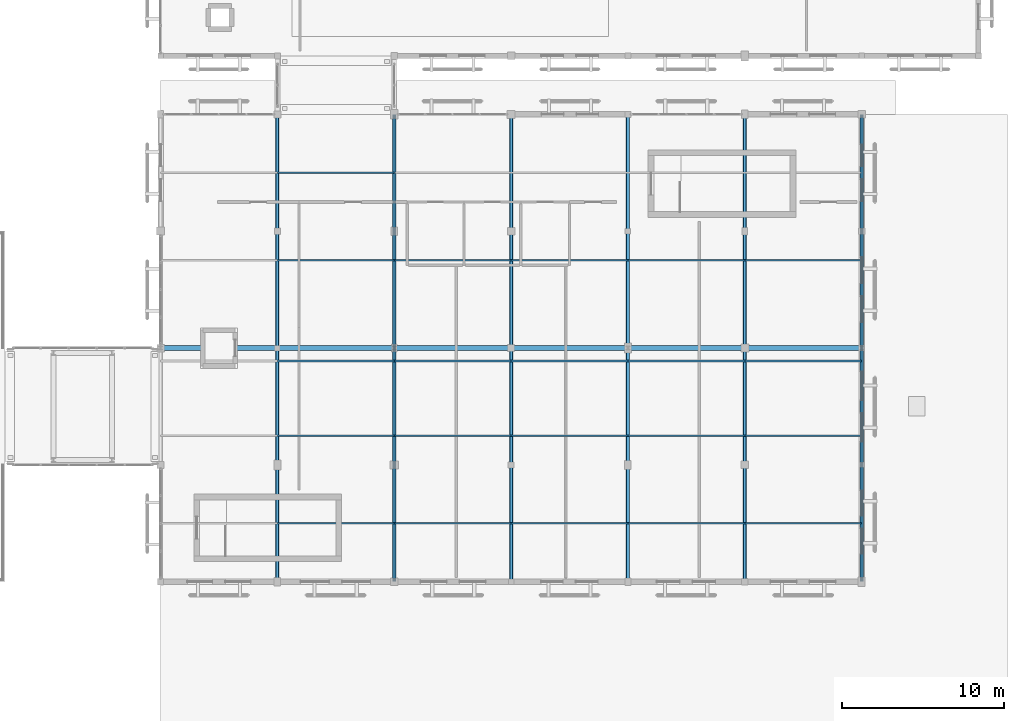
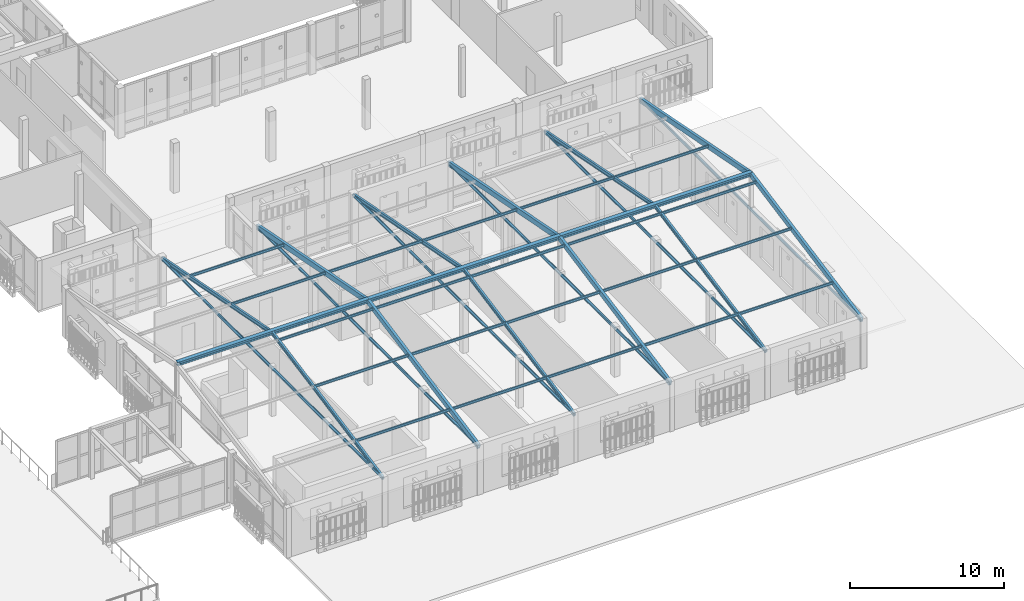
# One storey, part 53 of 112: 39 members, 3 beams.
"""IFC4 building model written with IfcOpenShell, lengths in metres."""

from ifc_helpers import new_model, si_unit, direction, frame, origin, origin_2d, place, context, subcontext, project, spatial, rectangle, hollow_circle, i_section, extrude, material, material_profile, profile_set, type_object, element, save


model = new_model("IFC4")

# Units and contexts
model_context = context("Model", 3, precision=1e-05, world=origin(), true_north=direction((0.0, 1.0)))
body_context = subcontext(model_context, "Body", "Model", "MODEL_VIEW")
ifc_project = project(units=[si_unit("LENGTHUNIT", "METRE"), si_unit("AREAUNIT", "SQUARE_METRE"), si_unit("VOLUMEUNIT", "CUBIC_METRE"), si_unit("PLANEANGLEUNIT", "RADIAN"), si_unit("MASSUNIT", "GRAM", prefix="KILO")], contexts=[model_context])

# Site, building, storey
site_placement = place(None, origin())
site = spatial("IfcSite", under=ifc_project, at=site_placement, CompositionType="ELEMENT")
building_placement = place(site_placement, origin())
building = spatial("IfcBuilding", under=site, at=building_placement, Name="Mazaris Harbour Polytechnic", CompositionType="ELEMENT")
storey_placement = place(building_placement, frame((0.0, 0.0, 13.800048828125)))
storey = spatial("IfcBuildingStorey", under=building, at=storey_placement, Name="L03", CompositionType="ELEMENT", Elevation=13.800048828125)

# Members
ifc_material_1 = material(Name="Glulam GL28h", Category="wood")
ifc_material_profile_1 = material_profile(ifc_material_1, rectangle(XDim=0.199951171875, YDim=0.39990234375, at=origin_2d()), Name="RECT200x400")
ifc_profile_set_1 = profile_set([ifc_material_profile_1], Name="Glulam GL28h")
member_type_1 = type_object("IfcMemberType", Name="Glulam Roof Rafter 200x400", PredefinedType="RAFTER", material=ifc_profile_set_1)
member_1_placement = place(storey_placement, frame((136.800048828125, 14.39990234375, 3.699951171875), z_axis=(0.0, 0.981615129824, 0.190870995439), x_axis=(-1.0, 0.0, 0.0)))
element("IfcMember", 1, at=member_1_placement, inside=storey, type_object=member_type_1, Name="V2 Pavilion South Rafter 3", PredefinedType="RAFTER", context=body_context, shape_type="SweptSolid", body=[
    extrude(rectangle(XDim=0.199951171875, YDim=0.39990234375, at=origin_2d()), origin(), (0.0, 0.0, 1.0), 14.669921875),
])
member_2_placement = place(storey_placement, frame((136.800048828125, 28.800048828125, 6.5), z_axis=(0.0, 0.9816145235, -0.190874113628), x_axis=(-1.0, 0.0, 0.0)))
element("IfcMember", 2, at=member_2_placement, inside=storey, type_object=member_type_1, Name="V2 Pavilion North Rafter 3", PredefinedType="RAFTER", context=body_context, shape_type="SweptSolid", body=[
    extrude(rectangle(XDim=0.199951171875, YDim=0.39990234375, at=origin_2d()), origin(), (0.0, 0.0, 1.0), 14.669677734375),
])
member_3_placement = place(storey_placement, frame((151.199951171875, 14.39990234375, 3.699951171875), z_axis=(0.0, 0.981615129824, 0.190870995439), x_axis=(-1.0, 0.0, 0.0)))
element("IfcMember", 3, at=member_3_placement, inside=storey, type_object=member_type_1, Name="V2 Pavilion South Rafter 5", PredefinedType="RAFTER", context=body_context, shape_type="SweptSolid", body=[
    extrude(rectangle(XDim=0.199951171875, YDim=0.39990234375, at=origin_2d()), origin(), (0.0, 0.0, 1.0), 14.669921875),
])
member_4_placement = place(storey_placement, frame((151.199951171875, 28.800048828125, 6.5), z_axis=(0.0, 0.9816145235, -0.190874113628), x_axis=(-1.0, 0.0, 0.0)))
element("IfcMember", 4, at=member_4_placement, inside=storey, type_object=member_type_1, Name="V2 Pavilion North Rafter 5", PredefinedType="RAFTER", context=body_context, shape_type="SweptSolid", body=[
    extrude(rectangle(XDim=0.199951171875, YDim=0.39990234375, at=origin_2d()), origin(), (0.0, 0.0, 1.0), 14.669677734375),
])
member_5_placement = place(storey_placement, frame((165.60009765625, 14.39990234375, 3.699951171875), z_axis=(0.0, 0.981615129824, 0.190870995439), x_axis=(-1.0, 0.0, 0.0)))
element("IfcMember", 5, at=member_5_placement, inside=storey, type_object=member_type_1, Name="V2 Pavilion South Rafter 7", PredefinedType="RAFTER", context=body_context, shape_type="SweptSolid", body=[
    extrude(rectangle(XDim=0.199951171875, YDim=0.39990234375, at=origin_2d()), origin(), (0.0, 0.0, 1.0), 14.669921875),
])
member_6_placement = place(storey_placement, frame((165.60009765625, 28.800048828125, 6.5), z_axis=(0.0, 0.9816145235, -0.190874113628), x_axis=(-1.0, 0.0, 0.0)))
element("IfcMember", 6, at=member_6_placement, inside=storey, type_object=member_type_1, Name="V2 Pavilion North Rafter 7", PredefinedType="RAFTER", context=body_context, shape_type="SweptSolid", body=[
    extrude(rectangle(XDim=0.199951171875, YDim=0.39990234375, at=origin_2d()), origin(), (0.0, 0.0, 1.0), 14.669677734375),
])

# Beams
ifc_material_2 = material(Name="Steel S355", Category="steel")
ifc_material_profile_2 = material_profile(ifc_material_2, i_section(OverallWidth=0.300048828125, OverallDepth=0.2900390625, WebThickness=0.008544921875, FlangeThickness=0.013916015625, FilletRadius=0.027099609375, at=origin_2d()), Name="HEA 300")
ifc_profile_set_2 = profile_set([ifc_material_profile_2], Name="Steel S355")
beam_type = type_object("IfcBeamType", Name="Steel Beam HEA300", PredefinedType="SPANDREL", material=ifc_profile_set_2)
beam_1_placement = place(storey_placement, frame((122.39990234375, 28.800048828125, 6.614990234375), z_axis=(1.0, 0.0, 0.0), x_axis=(0.0, 1.0, 0.0)))
element("IfcBeam", 7, at=beam_1_placement, inside=storey, type_object=beam_type, Name="V2 Pavilion Ridge Girder 122.4", PredefinedType="SPANDREL", context=body_context, shape_type="SweptSolid", body=[
    extrude(i_section(OverallWidth=0.300048828125, OverallDepth=0.2900390625, WebThickness=0.008544921875, FlangeThickness=0.013916015625, FilletRadius=0.027099609375, at=origin_2d()), origin(), (0.0, 0.0, 1.0), 14.400146484375),
])
beam_2_placement = place(storey_placement, frame((136.800048828125, 28.800048828125, 6.614990234375), z_axis=(1.0, 0.0, 0.0), x_axis=(0.0, 1.0, 0.0)))
element("IfcBeam", 8, at=beam_2_placement, inside=storey, type_object=beam_type, Name="V2 Pavilion Ridge Girder 136.8", PredefinedType="SPANDREL", context=body_context, shape_type="SweptSolid", body=[
    extrude(i_section(OverallWidth=0.300048828125, OverallDepth=0.2900390625, WebThickness=0.008544921875, FlangeThickness=0.013916015625, FilletRadius=0.027099609375, at=origin_2d()), origin(), (0.0, 0.0, 1.0), 14.39990234375),
])
beam_3_placement = place(storey_placement, frame((151.199951171875, 28.800048828125, 6.614990234375), z_axis=(1.0, 0.0, 0.0), x_axis=(0.0, 1.0, 0.0)))
element("IfcBeam", 9, at=beam_3_placement, inside=storey, type_object=beam_type, Name="V2 Pavilion Ridge Girder 151.2", PredefinedType="SPANDREL", context=body_context, shape_type="SweptSolid", body=[
    extrude(i_section(OverallWidth=0.300048828125, OverallDepth=0.2900390625, WebThickness=0.008544921875, FlangeThickness=0.013916015625, FilletRadius=0.027099609375, at=origin_2d()), origin(), (0.0, 0.0, 1.0), 14.400146484375),
])

# Members
ifc_material_3 = material(Name="Steel S355", Category="steel")
ifc_material_profile_3 = material_profile(ifc_material_3, i_section(OverallWidth=0.10009765625, OverallDepth=0.199951171875, WebThickness=0.005615234375, FlangeThickness=0.008544921875, FilletRadius=0.011962890625, at=origin_2d()), Name="IPE 200")
ifc_profile_set_3 = profile_set([ifc_material_profile_3], Name="Steel S355")
member_type_2 = type_object("IfcMemberType", Name="Steel Purlin IPE200", PredefinedType="PURLIN", material=ifc_profile_set_3)
for number, where, z_axis, x_axis, name in (
    (10, (129.60009765625, 18.0, 4.47998046875), (1.0, 0.0, 0.0), (0.0, 1.0, 0.0), "V2 Roof Purlin 153"),
    (11, (129.60009765625, 23.39990234375, 5.52001953125), (1.0, 0.0, 0.0), (0.0, 1.0, 0.0), "V2 Roof Purlin 154"),
    (12, (129.60009765625, 28.0, 6.419921875), (1.0, 0.0, 0.0), (0.0, 1.0, 0.0), "V2 Roof Purlin 155"),
    (13, (129.60009765625, 34.199951171875, 5.52001953125), (1.0, 0.0, 0.0), (0.0, 1.0, 0.0), "V2 Roof Purlin 156"),
    (14, (129.60009765625, 39.60009765625, 4.47998046875), (1.0, 0.0, 0.0), (0.0, 1.0, 0.0), "V2 Roof Purlin 157"),
    (15, (136.800048828125, 18.0, 4.47998046875), (1.0, 0.0, 0.0), (0.0, 1.0, 0.0), "V2 Roof Purlin 158"),
    (16, (136.800048828125, 23.39990234375, 5.52001953125), (1.0, 0.0, 0.0), (0.0, 1.0, 0.0), "V2 Roof Purlin 159"),
    (17, (136.800048828125, 28.0, 6.419921875), (1.0, 0.0, 0.0), (0.0, 1.0, 0.0), "V2 Roof Purlin 160"),
    (18, (136.800048828125, 34.199951171875, 5.52001953125), (1.0, 0.0, 0.0), (0.0, 1.0, 0.0), "V2 Roof Purlin 161"),
    (19, (144.0, 18.0, 4.47998046875), (1.0, 0.0, 0.0), (0.0, 1.0, 0.0), "V2 Roof Purlin 163"),
    (20, (144.0, 23.39990234375, 5.52001953125), (1.0, 0.0, 0.0), (0.0, 1.0, 0.0), "V2 Roof Purlin 164"),
    (21, (144.0, 28.0, 6.419921875), (1.0, 0.0, 0.0), (0.0, 1.0, 0.0), "V2 Roof Purlin 165"),
    (22, (144.0, 34.199951171875, 5.52001953125), (1.0, 0.0, 0.0), (0.0, 1.0, 0.0), "V2 Roof Purlin 166"),
    (23, (151.199951171875, 18.0, 4.47998046875), (1.0, 0.0, 0.0), (0.0, 1.0, 0.0), "V2 Roof Purlin 168"),
    (24, (151.199951171875, 23.39990234375, 5.52001953125), (1.0, 0.0, 0.0), (0.0, 1.0, 0.0), "V2 Roof Purlin 169"),
    (25, (151.199951171875, 28.0, 6.419921875), (1.0, 0.0, 0.0), (0.0, 1.0, 0.0), "V2 Roof Purlin 170"),
    (26, (151.199951171875, 34.199951171875, 5.52001953125), (1.0, 0.0, 0.0), (0.0, 1.0, 0.0), "V2 Roof Purlin 171"),
):
    element("IfcMember", number, at=place(storey_placement, frame(where, z_axis=z_axis, x_axis=x_axis)), inside=storey, type_object=member_type_2, Name=name, PredefinedType="PURLIN", context=body_context, shape_type="SweptSolid", body=[
        extrude(i_section(OverallWidth=0.10009765625, OverallDepth=0.199951171875, WebThickness=0.005615234375, FlangeThickness=0.008544921875, FilletRadius=0.011962890625, at=origin_2d()), origin(), (0.0, 0.0, 1.0), 7.199951171875),
    ])
for number, where, z_axis, x_axis, name in (
    (27, (158.39990234375, 18.0, 4.47998046875), (1.0, 0.0, 0.0), (0.0, 1.0, 0.0), "V2 Roof Purlin 173"),
    (28, (158.39990234375, 23.39990234375, 5.52001953125), (1.0, 0.0, 0.0), (0.0, 1.0, 0.0), "V2 Roof Purlin 174"),
    (29, (158.39990234375, 28.0, 6.419921875), (1.0, 0.0, 0.0), (0.0, 1.0, 0.0), "V2 Roof Purlin 175"),
    (30, (158.39990234375, 34.199951171875, 5.52001953125), (1.0, 0.0, 0.0), (0.0, 1.0, 0.0), "V2 Roof Purlin 176"),
):
    element("IfcMember", number, at=place(storey_placement, frame(where, z_axis=z_axis, x_axis=x_axis)), inside=storey, type_object=member_type_2, Name=name, PredefinedType="PURLIN", context=body_context, shape_type="SweptSolid", body=[
        extrude(i_section(OverallWidth=0.10009765625, OverallDepth=0.199951171875, WebThickness=0.005615234375, FlangeThickness=0.008544921875, FilletRadius=0.011962890625, at=origin_2d()), origin(), (0.0, 0.0, 1.0), 7.2001953125),
    ])
ifc_material_4 = material(Name="Steel S355", Category="steel")
ifc_material_profile_4 = material_profile(ifc_material_4, i_section(OverallWidth=0.14990234375, OverallDepth=0.300048828125, WebThickness=0.007080078125, FlangeThickness=0.0107421875, FilletRadius=0.014892578125, at=origin_2d()), Name="IPE 300")
ifc_profile_set_4 = profile_set([ifc_material_profile_4], Name="Steel S355")
member_type_3 = type_object("IfcMemberType", Name="Steel Rafter IPE300", PredefinedType="RAFTER", material=ifc_profile_set_4)
member_7_placement = place(storey_placement, frame((129.60009765625, 14.39990234375, 3.699951171875), z_axis=(0.0, 0.981615129824, 0.190870995439), x_axis=(-1.0, 0.0, 0.0)))
element("IfcMember", 31, at=member_7_placement, inside=storey, type_object=member_type_3, Name="V2 Pavilion South Rafter 2", PredefinedType="RAFTER", context=body_context, shape_type="SweptSolid", body=[
    extrude(i_section(OverallWidth=0.14990234375, OverallDepth=0.300048828125, WebThickness=0.007080078125, FlangeThickness=0.0107421875, FilletRadius=0.014892578125, at=origin_2d()), origin(), (0.0, 0.0, 1.0), 14.669921875),
])
member_8_placement = place(storey_placement, frame((129.60009765625, 28.800048828125, 6.5), z_axis=(0.0, 0.9816145235, -0.190874113628), x_axis=(-1.0, 0.0, 0.0)))
element("IfcMember", 32, at=member_8_placement, inside=storey, type_object=member_type_3, Name="V2 Pavilion North Rafter 2", PredefinedType="RAFTER", context=body_context, shape_type="SweptSolid", body=[
    extrude(i_section(OverallWidth=0.14990234375, OverallDepth=0.300048828125, WebThickness=0.007080078125, FlangeThickness=0.0107421875, FilletRadius=0.014892578125, at=origin_2d()), origin(), (0.0, 0.0, 1.0), 14.669677734375),
])
member_9_placement = place(storey_placement, frame((144.0, 14.39990234375, 3.699951171875), z_axis=(0.0, 0.981615129824, 0.190870995439), x_axis=(-1.0, 0.0, 0.0)))
element("IfcMember", 33, at=member_9_placement, inside=storey, type_object=member_type_3, Name="V2 Pavilion South Rafter 4", PredefinedType="RAFTER", context=body_context, shape_type="SweptSolid", body=[
    extrude(i_section(OverallWidth=0.14990234375, OverallDepth=0.300048828125, WebThickness=0.007080078125, FlangeThickness=0.0107421875, FilletRadius=0.014892578125, at=origin_2d()), origin(), (0.0, 0.0, 1.0), 14.669921875),
])
member_10_placement = place(storey_placement, frame((144.0, 28.800048828125, 6.5), z_axis=(0.0, 0.9816145235, -0.190874113628), x_axis=(-1.0, 0.0, 0.0)))
element("IfcMember", 34, at=member_10_placement, inside=storey, type_object=member_type_3, Name="V2 Pavilion North Rafter 4", PredefinedType="RAFTER", context=body_context, shape_type="SweptSolid", body=[
    extrude(i_section(OverallWidth=0.14990234375, OverallDepth=0.300048828125, WebThickness=0.007080078125, FlangeThickness=0.0107421875, FilletRadius=0.014892578125, at=origin_2d()), origin(), (0.0, 0.0, 1.0), 14.669677734375),
])
member_11_placement = place(storey_placement, frame((158.39990234375, 14.39990234375, 3.699951171875), z_axis=(0.0, 0.981615129824, 0.190870995439), x_axis=(-1.0, 0.0, 0.0)))
element("IfcMember", 35, at=member_11_placement, inside=storey, type_object=member_type_3, Name="V2 Pavilion South Rafter 6", PredefinedType="RAFTER", context=body_context, shape_type="SweptSolid", body=[
    extrude(i_section(OverallWidth=0.14990234375, OverallDepth=0.300048828125, WebThickness=0.007080078125, FlangeThickness=0.0107421875, FilletRadius=0.014892578125, at=origin_2d()), origin(), (0.0, 0.0, 1.0), 14.669921875),
])
member_12_placement = place(storey_placement, frame((158.39990234375, 28.800048828125, 6.5), z_axis=(0.0, 0.9816145235, -0.190874113628), x_axis=(-1.0, 0.0, 0.0)))
element("IfcMember", 36, at=member_12_placement, inside=storey, type_object=member_type_3, Name="V2 Pavilion North Rafter 6", PredefinedType="RAFTER", context=body_context, shape_type="SweptSolid", body=[
    extrude(i_section(OverallWidth=0.14990234375, OverallDepth=0.300048828125, WebThickness=0.007080078125, FlangeThickness=0.0107421875, FilletRadius=0.014892578125, at=origin_2d()), origin(), (0.0, 0.0, 1.0), 14.669677734375),
])
ifc_material_5 = material(Name="Steel S355", Category="steel")
ifc_material_profile_5 = material_profile(ifc_material_5, hollow_circle(Radius=0.109619140625, WallThickness=0.010009765625, at=origin_2d()), Name="CHS 219.1x10.0")
ifc_profile_set_5 = profile_set([ifc_material_profile_5], Name="Steel S355")
member_type_4 = type_object("IfcMemberType", Name="Steel Tie Chord CHS219", PredefinedType="CHORD", material=ifc_profile_set_5)
for number, where, z_axis, x_axis, name in (
    (37, (129.60009765625, 14.39990234375, 3.699951171875), (0.0, 1.0, 0.0), (-1.0, 0.0, 0.0), "V2 Pavilion Tie Chord 2"),
    (38, (136.800048828125, 14.39990234375, 3.699951171875), (0.0, 1.0, 0.0), (-1.0, 0.0, 0.0), "V2 Pavilion Tie Chord 3"),
    (39, (144.0, 14.39990234375, 3.699951171875), (0.0, 1.0, 0.0), (-1.0, 0.0, 0.0), "V2 Pavilion Tie Chord 4"),
    (40, (151.199951171875, 14.39990234375, 3.699951171875), (0.0, 1.0, 0.0), (-1.0, 0.0, 0.0), "V2 Pavilion Tie Chord 5"),
    (41, (158.39990234375, 14.39990234375, 3.699951171875), (0.0, 1.0, 0.0), (-1.0, 0.0, 0.0), "V2 Pavilion Tie Chord 6"),
    (42, (165.60009765625, 14.39990234375, 3.699951171875), (0.0, 1.0, 0.0), (-1.0, 0.0, 0.0), "V2 Pavilion Tie Chord 7"),
):
    element("IfcMember", number, at=place(storey_placement, frame(where, z_axis=z_axis, x_axis=x_axis)), inside=storey, type_object=member_type_4, Name=name, PredefinedType="CHORD", context=body_context, shape_type="SweptSolid", body=[
        extrude(hollow_circle(Radius=0.109619140625, WallThickness=0.010009765625, at=origin_2d()), origin(), (0.0, 0.0, 1.0), 28.800048828125),
    ])

save(model, "model.ifc")
